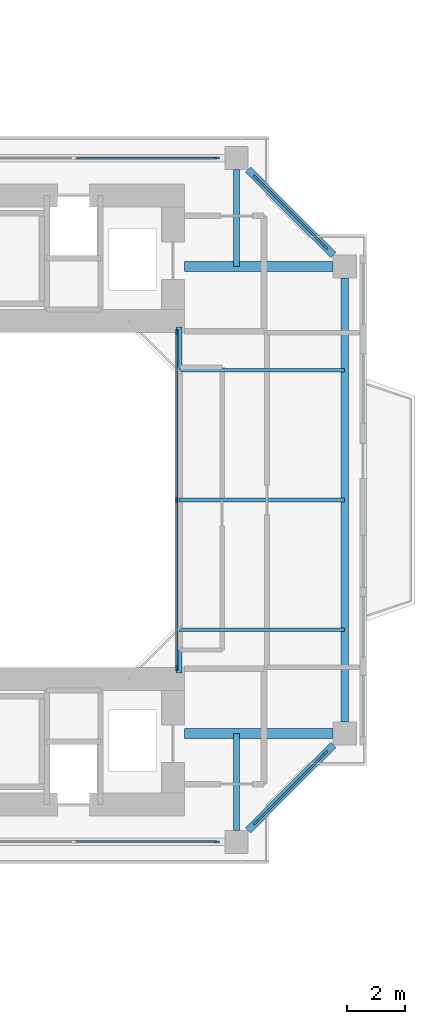
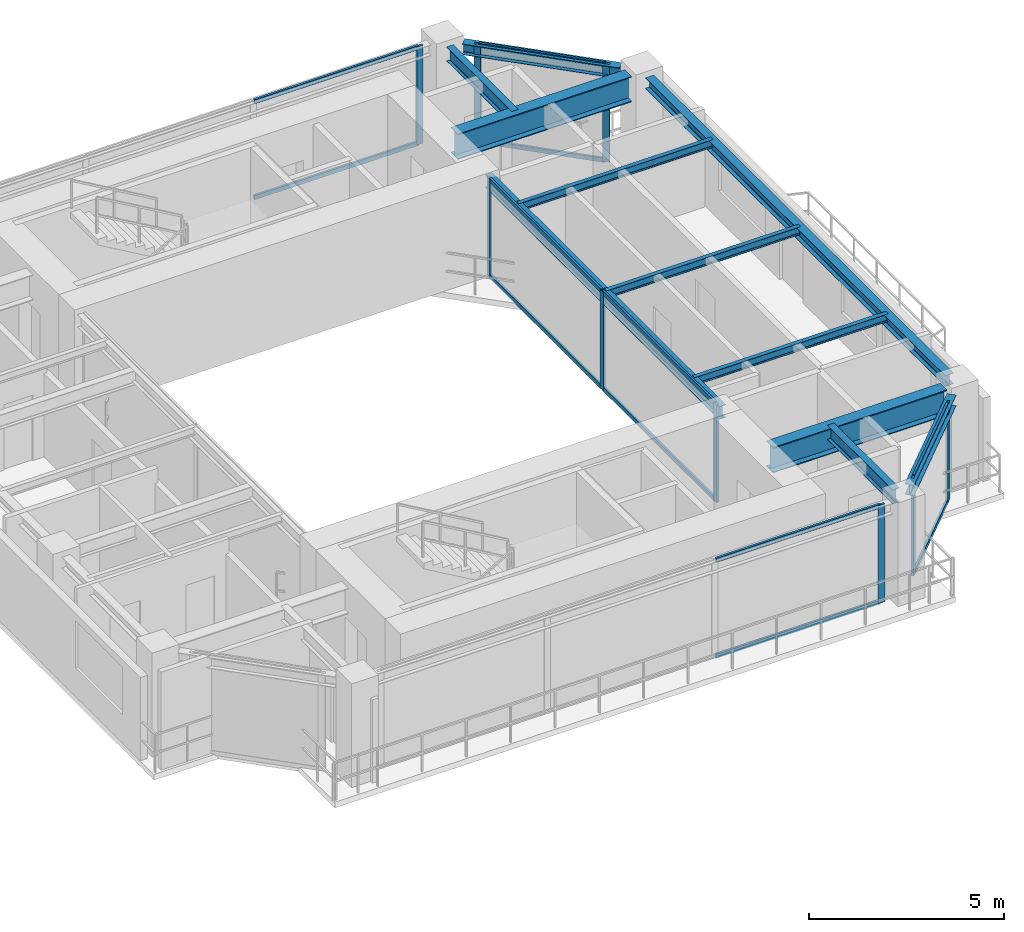
# One storey, part 12 of 24: 21 members, 11 beams, 5 elements without a shape of their own.
"""IFC4 building model written with IfcOpenShell, lengths in metres."""

from ifc_helpers import new_model, si_unit, direction, frame, origin, origin_2d, place, context, subcontext, project, spatial, rectangle, i_section, extrude, source, transform, mapped, material, layer, layer_set, material_profile, profile_set, type_object, element, aggregate, save


model = new_model("IFC4")

# Units and contexts
model_context = context("Model", 3, precision=1e-05, world=origin(), true_north=direction((0.0, 1.0)))
body_context = subcontext(model_context, "Body", "Model", "MODEL_VIEW")
ifc_project = project(units=[si_unit("LENGTHUNIT", "METRE"), si_unit("AREAUNIT", "SQUARE_METRE"), si_unit("VOLUMEUNIT", "CUBIC_METRE"), si_unit("PLANEANGLEUNIT", "RADIAN"), si_unit("MASSUNIT", "GRAM", prefix="KILO"), si_unit("THERMODYNAMICTEMPERATUREUNIT", "KELVIN"), si_unit("POWERUNIT", "WATT")], contexts=[model_context])

# Site, building, storey
site_placement = place(None, origin())
site = spatial("IfcSite", under=ifc_project, at=site_placement, CompositionType="ELEMENT")
building_placement = place(site_placement, origin())
building = spatial("IfcBuilding", under=site, at=building_placement, Name="Qiaomeng Ring Towers", CompositionType="ELEMENT")
storey_placement = place(building_placement, frame((0.0, 0.0, 106.75)))
storey = spatial("IfcBuildingStorey", under=building, at=storey_placement, Name="L30", CompositionType="ELEMENT", Elevation=106.75)

# Beams
ifc_material_1 = material(Name="Steel Q355B", Category="steel")
ifc_material_profile_1 = material_profile(ifc_material_1, i_section(OverallWidth=0.199951171875, OverallDepth=0.39990234375, WebThickness=0.008056640625, FlangeThickness=0.012939453125, FilletRadius=0.01611328125, at=origin_2d()), Name="HN 400x200x8x13")
ifc_profile_set_1 = profile_set([ifc_material_profile_1], Name="Steel Q355B")
beam_type_1 = type_object("IfcBeamType", Name="STR-BM-HN400", PredefinedType="SPANDREL", material=ifc_profile_set_1)
shared_shape_1 = source(origin(), body_context, "Body", "SweptSolid", [
    extrude(i_section(OverallWidth=0.199951171875, OverallDepth=0.39990234375, WebThickness=0.008056640625, FlangeThickness=0.012939453125, FilletRadius=0.01611328125, at=origin_2d()), origin(), (0.0, 0.0, 1.0), 12.0),
])
beam_1_placement = place(storey_placement, frame((66.60009765625, 17.0, 2.8701171875), z_axis=(0.0, 1.0, 0.0), x_axis=(-1.0, 0.0, 0.0)))
element("IfcBeam", 1, at=beam_1_placement, inside=storey, type_object=beam_type_1, Name="L30 beam STR-BM-L30-T2-WELL-E", PredefinedType="SPANDREL", context=body_context, shape_type="MappedRepresentation", body=[
    mapped(shared_shape_1, transform((0.0, 0.0, 0.0), x_axis=(1.0, 0.0, 0.0), y_axis=(0.0, 1.0, 0.0), z_axis=(0.0, 0.0, 1.0), scale=1.0)),
])
ifc_material_profile_2 = material_profile(ifc_material_1, i_section(OverallWidth=0.25, OverallDepth=0.340087890625, WebThickness=0.009033203125, FlangeThickness=0.013916015625, FilletRadius=0.02001953125, at=origin_2d()), Name="HM 340x250x9x14")
ifc_profile_set_2 = profile_set([ifc_material_profile_2], Name="Steel Q355B")
beam_type_2 = type_object("IfcBeamType", Name="STR-BM-HM340", PredefinedType="SPANDREL", material=ifc_profile_set_2)
shared_shape_2 = source(origin(), body_context, "Body", "SweptSolid", [
    extrude(i_section(OverallWidth=0.25, OverallDepth=0.340087890625, WebThickness=0.009033203125, FlangeThickness=0.013916015625, FilletRadius=0.02001953125, at=origin_2d()), origin(), (0.0, 0.0, 1.0), 15.40185546875),
])
beam_2_placement = place(storey_placement, frame((72.35009765625, 15.299072265625, 2.89990234375), z_axis=(0.0, 1.0, 0.0), x_axis=(-1.0, 0.0, 0.0)))
element("IfcBeam", 2, at=beam_2_placement, inside=storey, type_object=beam_type_2, Name="L30 beam STR-SP-L30-T2-E1-E2", PredefinedType="SPANDREL", context=body_context, shape_type="MappedRepresentation", body=[
    mapped(shared_shape_2, transform((0.0, 0.0, 0.0), x_axis=(1.0, 0.0, 0.0), y_axis=(0.0, 1.0, 0.0), z_axis=(0.0, 0.0, 1.0), scale=1.0)),
])
shared_shape_3 = source(origin(), body_context, "Body", "SweptSolid", [
    extrude(i_section(OverallWidth=0.25, OverallDepth=0.340087890625, WebThickness=0.009033203125, FlangeThickness=0.013916015625, FilletRadius=0.02001953125, at=origin_2d()), origin(), (0.0, 0.0, 1.0), 4.173828125),
])
for number, where, z_axis, x_axis, name in (
    (3, (68.999267578125, 11.54931640625, 2.89990234375), (0.707106781187, 0.707106781187, 0.0), (-0.707106781187, 0.707106781187, 0.0), "L30 beam STR-SP-L30-T2-S2-E1"),
    (4, (71.95068359375, 31.499267578125, 2.89990234375), (-0.707106781187, 0.707106781187, 0.0), (-0.707106781187, -0.707106781187, 0.0), "L30 beam STR-SP-L30-T2-E2-N2"),
):
    element("IfcBeam", number, at=place(storey_placement, frame(where, z_axis=z_axis, x_axis=x_axis)), inside=storey, type_object=beam_type_2, Name=name, PredefinedType="SPANDREL", context=body_context, shape_type="MappedRepresentation", body=[
        mapped(shared_shape_3, transform((0.0, 0.0, 0.0), x_axis=(1.0, 0.0, 0.0), y_axis=(0.0, 1.0, 0.0), z_axis=(0.0, 0.0, 1.0), scale=1.0)),
    ])
ifc_material_2 = material(Name="Steel Q390GJC", Category="steel")
ifc_material_profile_3 = material_profile(ifc_material_2, i_section(OverallWidth=0.35009765625, OverallDepth=0.800048828125, WebThickness=0.01611328125, FlangeThickness=0.028076171875, at=origin_2d()), Name="WH 800x350x16x28")
ifc_profile_set_3 = profile_set([ifc_material_profile_3], Name="Steel Q390GJC")
beam_type_3 = type_object("IfcBeamType", Name="STR-BM-WH800", PredefinedType="BEAM", material=ifc_profile_set_3)
shared_shape_4 = source(origin(), body_context, "Body", "SweptSolid", [
    extrude(i_section(OverallWidth=0.35009765625, OverallDepth=0.800048828125, WebThickness=0.01611328125, FlangeThickness=0.028076171875, at=origin_2d()), origin(), (0.0, 0.0, 1.0), 5.15087890625),
])
for number, where, z_axis, x_axis, name in (
    (5, (66.800048828125, 14.89990234375, 2.669921875), (1.0, 0.0, 0.0), (0.0, 1.0, 0.0), "L30 beam STR-BM-L30-T2-RAD-E1"),
    (6, (66.800048828125, 31.10009765625, 2.669921875), (1.0, 0.0, 0.0), (0.0, 1.0, 0.0), "L30 beam STR-BM-L30-T2-RAD-E2"),
):
    element("IfcBeam", number, at=place(storey_placement, frame(where, z_axis=z_axis, x_axis=x_axis)), inside=storey, type_object=beam_type_3, Name=name, PredefinedType="BEAM", context=body_context, shape_type="MappedRepresentation", body=[
        mapped(shared_shape_4, transform((0.0, 0.0, 0.0), x_axis=(1.0, 0.0, 0.0), y_axis=(0.0, 1.0, 0.0), z_axis=(0.0, 0.0, 1.0), scale=1.0)),
    ])
ifc_material_profile_4 = material_profile(ifc_material_1, i_section(OverallWidth=0.199951171875, OverallDepth=0.449951171875, WebThickness=0.009033203125, FlangeThickness=0.013916015625, FilletRadius=0.01806640625, at=origin_2d()), Name="HN 450x200x9x14")
ifc_profile_set_4 = profile_set([ifc_material_profile_4], Name="Steel Q355B")
beam_type_4 = type_object("IfcBeamType", Name="STR-BM-HN450", PredefinedType="SPANDREL", material=ifc_profile_set_4)
shared_shape_5 = source(origin(), body_context, "Body", "SweptSolid", [
    extrude(i_section(OverallWidth=0.199951171875, OverallDepth=0.449951171875, WebThickness=0.009033203125, FlangeThickness=0.013916015625, FilletRadius=0.01806640625, at=origin_2d()), origin(), (0.0, 0.0, 1.0), 3.350830078125),
])
for number, where, z_axis, x_axis, name in (
    (7, (68.60009765625, 34.450927734375, 2.844970703125), (0.0, -1.0, 0.0), (1.0, 0.0, 0.0), "L30 beam STR-BM-L30-T2-RAD-N2"),
    (8, (68.60009765625, 11.549072265625, 2.844970703125), (0.0, 1.0, 0.0), (-1.0, 0.0, 0.0), "L30 beam STR-BM-L30-T2-RAD-S2"),
):
    element("IfcBeam", number, at=place(storey_placement, frame(where, z_axis=z_axis, x_axis=x_axis)), inside=storey, type_object=beam_type_4, Name=name, PredefinedType="SPANDREL", context=body_context, shape_type="MappedRepresentation", body=[
        mapped(shared_shape_5, transform((0.0, 0.0, 0.0), x_axis=(1.0, 0.0, 0.0), y_axis=(0.0, 1.0, 0.0), z_axis=(0.0, 0.0, 1.0), scale=1.0)),
    ])
ifc_material_profile_5 = material_profile(ifc_material_1, i_section(OverallWidth=0.125, OverallDepth=0.25, WebThickness=0.006103515625, FlangeThickness=0.009033203125, FilletRadius=0.011962890625, at=origin_2d()), Name="HN 250x125x6x9")
ifc_profile_set_5 = profile_set([ifc_material_profile_5], Name="Steel Q355B")
beam_type_5 = type_object("IfcBeamType", Name="STR-BM-HN250", PredefinedType="JOIST", material=ifc_profile_set_5)
shared_shape_6 = source(origin(), body_context, "Body", "SweptSolid", [
    extrude(i_section(OverallWidth=0.125, OverallDepth=0.25, WebThickness=0.006103515625, FlangeThickness=0.009033203125, FilletRadius=0.011962890625, at=origin_2d()), origin(), (0.0, 0.0, 1.0), 5.75),
])
for number, where, z_axis, x_axis, name in (
    (9, (66.60009765625, 18.5, 2.945068359375), (1.0, 0.0, 0.0), (0.0, 1.0, 0.0), "L30 beam STR-JST-L30-T2E-1"),
    (10, (66.60009765625, 23.0, 2.945068359375), (1.0, 0.0, 0.0), (0.0, 1.0, 0.0), "L30 beam STR-JST-L30-T2E-2"),
    (11, (66.60009765625, 27.5, 2.945068359375), (1.0, 0.0, 0.0), (0.0, 1.0, 0.0), "L30 beam STR-JST-L30-T2E-3"),
):
    element("IfcBeam", number, at=place(storey_placement, frame(where, z_axis=z_axis, x_axis=x_axis)), inside=storey, type_object=beam_type_5, Name=name, PredefinedType="JOIST", context=body_context, shape_type="MappedRepresentation", body=[
        mapped(shared_shape_6, transform((0.0, 0.0, 0.0), x_axis=(1.0, 0.0, 0.0), y_axis=(0.0, 1.0, 0.0), z_axis=(0.0, 0.0, 1.0), scale=1.0)),
    ])

# Curtain wall, members
ifc_material_3 = material(Name="Fluorocarbon dark-grey aluminium", Category="aluminium")
ifc_layer_1 = layer(ifc_material_3, 0.139892578125, Name="Fluorocarbon dark-grey aluminium")
ifc_layer_set_1 = layer_set([ifc_layer_1], Name="Fluorocarbon dark-grey aluminium")
curtain_wall_type_1 = type_object("IfcCurtainWallType", Name="ARC-CW-4", PredefinedType="NOTDEFINED", material=ifc_layer_set_1)
curtain_wall_1_placement = place(storey_placement, origin())
curtain_wall_1 = element("IfcCurtainWall", 12, at=curtain_wall_1_placement, inside=storey, type_object=curtain_wall_type_1, Name="L30 Curtain Wall CW4", PredefinedType="NOTDEFINED")
ifc_material_profile_6 = material_profile(ifc_material_3, rectangle(XDim=0.06494140625, YDim=0.159912109375, at=origin_2d()), Name="ALU MULL 65x160")
ifc_profile_set_6 = profile_set([ifc_material_profile_6], Name="Fluorocarbon dark-grey aluminium")
member_type_1 = type_object("IfcMemberType", Name="ARC-CWM-140", PredefinedType="MULLION", material=ifc_profile_set_6)
shared_shape_7 = source(origin(), body_context, "Body", "SweptSolid", [
    extrude(rectangle(XDim=0.06494140625, YDim=0.159912109375, at=origin_2d()), origin(), (0.0, 0.0, 1.0), 3.070068359375),
])
member_1_placement = place(storey_placement, frame((66.52001953125, 17.1826171875, 0.0), z_axis=(0.0, 0.0, 1.0), x_axis=(-1.0, 0.0, 0.0)))
member_1 = element("IfcMember", 13, at=member_1_placement, type_object=member_type_1, Name="CW4 mullion 1", PredefinedType="MULLION", context=body_context, shape_type="MappedRepresentation", body=[
    mapped(shared_shape_7, transform((0.0, 0.0, 0.0), x_axis=(1.0, 0.0, 0.0), y_axis=(0.0, 1.0, 0.0), z_axis=(0.0, 0.0, 1.0), scale=1.0)),
])
member_2_placement = place(storey_placement, frame((66.52001953125, 23.0, 0.0), z_axis=(0.0, 0.0, 1.0), x_axis=(-1.0, 0.0, 0.0)))
member_2 = element("IfcMember", 14, at=member_2_placement, type_object=member_type_1, Name="CW4 mullion 2", PredefinedType="MULLION", context=body_context, shape_type="MappedRepresentation", body=[
    mapped(shared_shape_7, transform((0.0, 0.0, 0.0), x_axis=(1.0, 0.0, 0.0), y_axis=(0.0, 1.0, 0.0), z_axis=(0.0, 0.0, 1.0), scale=1.0)),
])
member_3_placement = place(storey_placement, frame((66.52001953125, 28.8173828125, 0.0), z_axis=(0.0, 0.0, 1.0), x_axis=(-1.0, 0.0, 0.0)))
member_3 = element("IfcMember", 15, at=member_3_placement, type_object=member_type_1, Name="CW4 mullion 3", PredefinedType="MULLION", context=body_context, shape_type="MappedRepresentation", body=[
    mapped(shared_shape_7, transform((0.0, 0.0, 0.0), x_axis=(1.0, 0.0, 0.0), y_axis=(0.0, 1.0, 0.0), z_axis=(0.0, 0.0, 1.0), scale=1.0)),
])
ifc_material_profile_7 = material_profile(ifc_material_3, rectangle(XDim=0.06494140625, YDim=0.1298828125, at=origin_2d()), Name="ALU TRAN 65x130")
ifc_profile_set_7 = profile_set([ifc_material_profile_7], Name="Fluorocarbon dark-grey aluminium")
member_type_2 = type_object("IfcMemberType", Name="ARC-CWT-120", PredefinedType="USERDEFINED", material=ifc_profile_set_7)
shared_shape_8 = source(origin(), body_context, "Body", "SweptSolid", [
    extrude(rectangle(XDim=0.06494140625, YDim=0.1298828125, at=origin_2d()), origin(), (0.0, 0.0, 1.0), 5.75244140625),
])
member_4_placement = place(storey_placement, frame((66.52001953125, 17.215087890625, 0.032470703125), z_axis=(0.0, 1.0, 0.0), x_axis=(-1.0, 0.0, 0.0)))
member_4 = element("IfcMember", 16, at=member_4_placement, type_object=member_type_2, Name="CW4 transom 1.1", ObjectType="TRANSOM", PredefinedType="USERDEFINED", context=body_context, shape_type="MappedRepresentation", body=[
    mapped(shared_shape_8, transform((0.0, 0.0, 0.0), x_axis=(1.0, 0.0, 0.0), y_axis=(0.0, 1.0, 0.0), z_axis=(0.0, 0.0, 1.0), scale=1.0)),
])
member_5_placement = place(storey_placement, frame((66.52001953125, 17.215087890625, 3.03759765625), z_axis=(0.0, 1.0, 0.0), x_axis=(-1.0, 0.0, 0.0)))
member_5 = element("IfcMember", 17, at=member_5_placement, type_object=member_type_2, Name="CW4 transom 1.2", ObjectType="TRANSOM", PredefinedType="USERDEFINED", context=body_context, shape_type="MappedRepresentation", body=[
    mapped(shared_shape_8, transform((0.0, 0.0, 0.0), x_axis=(1.0, 0.0, 0.0), y_axis=(0.0, 1.0, 0.0), z_axis=(0.0, 0.0, 1.0), scale=1.0)),
])
member_6_placement = place(storey_placement, frame((66.52001953125, 23.032470703125, 0.032470703125), z_axis=(0.0, 1.0, 0.0), x_axis=(-1.0, 0.0, 0.0)))
member_6 = element("IfcMember", 18, at=member_6_placement, type_object=member_type_2, Name="CW4 transom 2.1", ObjectType="TRANSOM", PredefinedType="USERDEFINED", context=body_context, shape_type="MappedRepresentation", body=[
    mapped(shared_shape_8, transform((0.0, 0.0, 0.0), x_axis=(1.0, 0.0, 0.0), y_axis=(0.0, 1.0, 0.0), z_axis=(0.0, 0.0, 1.0), scale=1.0)),
])
member_7_placement = place(storey_placement, frame((66.52001953125, 23.032470703125, 3.03759765625), z_axis=(0.0, 1.0, 0.0), x_axis=(-1.0, 0.0, 0.0)))
member_7 = element("IfcMember", 19, at=member_7_placement, type_object=member_type_2, Name="CW4 transom 2.2", ObjectType="TRANSOM", PredefinedType="USERDEFINED", context=body_context, shape_type="MappedRepresentation", body=[
    mapped(shared_shape_8, transform((0.0, 0.0, 0.0), x_axis=(1.0, 0.0, 0.0), y_axis=(0.0, 1.0, 0.0), z_axis=(0.0, 0.0, 1.0), scale=1.0)),
])
aggregate(curtain_wall_1, [member_1, member_2, member_3, member_4, member_5, member_6, member_7])

# Curtain wall, member
ifc_layer_2 = layer(ifc_material_3, 0.14990234375, Name="Fluorocarbon dark-grey aluminium")
ifc_layer_set_2 = layer_set([ifc_layer_2], Name="Fluorocarbon dark-grey aluminium")
curtain_wall_type_2 = type_object("IfcCurtainWallType", Name="ARC-CW-5", PredefinedType="NOTDEFINED", material=ifc_layer_set_2)
curtain_wall_2_placement = place(storey_placement, origin())
curtain_wall_2 = element("IfcCurtainWall", 20, at=curtain_wall_2_placement, inside=storey, type_object=curtain_wall_type_2, Name="L30 Curtain Wall CW5", PredefinedType="NOTDEFINED")
ifc_material_profile_8 = material_profile(ifc_material_3, rectangle(XDim=0.070068359375, YDim=0.179931640625, at=origin_2d()), Name="ALU MULL 70x180")
ifc_profile_set_8 = profile_set([ifc_material_profile_8], Name="Fluorocarbon dark-grey aluminium")
member_type_3 = type_object("IfcMemberType", Name="ARC-CWM-160", PredefinedType="MULLION", material=ifc_profile_set_8)
shared_shape_9 = source(origin(), body_context, "Body", "SweptSolid", [
    extrude(rectangle(XDim=0.070068359375, YDim=0.179931640625, at=origin_2d()), origin(), (0.0, 0.0, 1.0), 3.070068359375),
])
member_8_placement = place(storey_placement, frame((67.925048828125, 34.85009765625, 0.0), z_axis=(0.0, 0.0, 1.0), x_axis=(0.0, 1.0, 0.0)))
member_8 = element("IfcMember", 21, at=member_8_placement, type_object=member_type_3, Name="CW5 mullion 4", PredefinedType="MULLION", context=body_context, shape_type="MappedRepresentation", body=[
    mapped(shared_shape_9, transform((0.0, 0.0, 0.0), x_axis=(1.0, 0.0, 0.0), y_axis=(0.0, 1.0, 0.0), z_axis=(0.0, 0.0, 1.0), scale=1.0)),
])

# Curtain wall, members
curtain_wall_3_placement = place(storey_placement, origin())
curtain_wall_3 = element("IfcCurtainWall", 22, at=curtain_wall_3_placement, inside=storey, type_object=curtain_wall_type_2, Name="L30 Curtain Wall CW5", PredefinedType="NOTDEFINED")
member_9_placement = place(storey_placement, frame((69.2646484375, 11.814697265625, 0.0), z_axis=(0.0, 0.0, 1.0), x_axis=(-0.707106781187, 0.707106781187, 0.0)))
member_9 = element("IfcMember", 23, at=member_9_placement, type_object=member_type_3, Name="CW5 mullion 1", PredefinedType="MULLION", context=body_context, shape_type="MappedRepresentation", body=[
    mapped(shared_shape_9, transform((0.0, 0.0, 0.0), x_axis=(1.0, 0.0, 0.0), y_axis=(0.0, 1.0, 0.0), z_axis=(0.0, 0.0, 1.0), scale=1.0)),
])
member_10_placement = place(storey_placement, frame((71.685302734375, 14.2353515625, 0.0), z_axis=(0.0, 0.0, 1.0), x_axis=(-0.707106781187, 0.707106781187, 0.0)))
member_10 = element("IfcMember", 24, at=member_10_placement, type_object=member_type_3, Name="CW5 mullion 2", PredefinedType="MULLION", context=body_context, shape_type="MappedRepresentation", body=[
    mapped(shared_shape_9, transform((0.0, 0.0, 0.0), x_axis=(1.0, 0.0, 0.0), y_axis=(0.0, 1.0, 0.0), z_axis=(0.0, 0.0, 1.0), scale=1.0)),
])

curtain_wall_4_placement = place(storey_placement, origin())
curtain_wall_4 = element("IfcCurtainWall", 25, at=curtain_wall_4_placement, inside=storey, type_object=curtain_wall_type_2, Name="L30 Curtain Wall CW5", PredefinedType="NOTDEFINED")
member_11_placement = place(storey_placement, frame((71.685302734375, 31.7646484375, 0.0), z_axis=(0.0, 0.0, 1.0), x_axis=(-0.707106781187, -0.707106781187, 0.0)))
member_11 = element("IfcMember", 26, at=member_11_placement, type_object=member_type_3, Name="CW5 mullion 1", PredefinedType="MULLION", context=body_context, shape_type="MappedRepresentation", body=[
    mapped(shared_shape_9, transform((0.0, 0.0, 0.0), x_axis=(1.0, 0.0, 0.0), y_axis=(0.0, 1.0, 0.0), z_axis=(0.0, 0.0, 1.0), scale=1.0)),
])
member_12_placement = place(storey_placement, frame((69.2646484375, 34.185302734375, 0.0), z_axis=(0.0, 0.0, 1.0), x_axis=(-0.707106781187, -0.707106781187, 0.0)))
member_12 = element("IfcMember", 27, at=member_12_placement, type_object=member_type_3, Name="CW5 mullion 2", PredefinedType="MULLION", context=body_context, shape_type="MappedRepresentation", body=[
    mapped(shared_shape_9, transform((0.0, 0.0, 0.0), x_axis=(1.0, 0.0, 0.0), y_axis=(0.0, 1.0, 0.0), z_axis=(0.0, 0.0, 1.0), scale=1.0)),
])

# Curtain wall, member
curtain_wall_5_placement = place(storey_placement, origin())
curtain_wall_5 = element("IfcCurtainWall", 28, at=curtain_wall_5_placement, inside=storey, type_object=curtain_wall_type_2, Name="L30 Curtain Wall CW5", PredefinedType="NOTDEFINED")
member_13_placement = place(storey_placement, frame((67.925048828125, 11.14990234375, 0.0), z_axis=(0.0, 0.0, 1.0), x_axis=(0.0, 1.0, 0.0)))
member_13 = element("IfcMember", 29, at=member_13_placement, type_object=member_type_3, Name="CW5 mullion 4", PredefinedType="MULLION", context=body_context, shape_type="MappedRepresentation", body=[
    mapped(shared_shape_9, transform((0.0, 0.0, 0.0), x_axis=(1.0, 0.0, 0.0), y_axis=(0.0, 1.0, 0.0), z_axis=(0.0, 0.0, 1.0), scale=1.0)),
])

# Member
shared_shape_10 = source(origin(), body_context, "Body", "SweptSolid", [
    extrude(rectangle(XDim=0.06494140625, YDim=0.1298828125, at=origin_2d()), origin(), (0.0, 0.0, 1.0), 4.8681640625),
])
member_14_placement = place(storey_placement, frame((63.021728515625, 34.85009765625, 0.032470703125), z_axis=(1.0, 0.0, 0.0), x_axis=(0.0, 1.0, 0.0)))
member_14 = element("IfcMember", 30, at=member_14_placement, type_object=member_type_2, Name="CW5 transom 3.1", ObjectType="TRANSOM", PredefinedType="USERDEFINED", context=body_context, shape_type="MappedRepresentation", body=[
    mapped(shared_shape_10, transform((0.0, 0.0, 0.0), x_axis=(1.0, 0.0, 0.0), y_axis=(0.0, 1.0, 0.0), z_axis=(0.0, 0.0, 1.0), scale=1.0)),
])

member_15_placement = place(storey_placement, frame((63.021728515625, 34.85009765625, 3.03759765625), z_axis=(1.0, 0.0, 0.0), x_axis=(0.0, 1.0, 0.0)))
member_15 = element("IfcMember", 31, at=member_15_placement, type_object=member_type_2, Name="CW5 transom 3.2", ObjectType="TRANSOM", PredefinedType="USERDEFINED", context=body_context, shape_type="MappedRepresentation", body=[
    mapped(shared_shape_10, transform((0.0, 0.0, 0.0), x_axis=(1.0, 0.0, 0.0), y_axis=(0.0, 1.0, 0.0), z_axis=(0.0, 0.0, 1.0), scale=1.0)),
])

aggregate(curtain_wall_2, [member_8, member_14, member_15])

member_16_placement = place(storey_placement, frame((63.021728515625, 11.14990234375, 0.032470703125), z_axis=(1.0, 0.0, 0.0), x_axis=(0.0, 1.0, 0.0)))
member_16 = element("IfcMember", 32, at=member_16_placement, type_object=member_type_2, Name="CW5 transom 3.1", ObjectType="TRANSOM", PredefinedType="USERDEFINED", context=body_context, shape_type="MappedRepresentation", body=[
    mapped(shared_shape_10, transform((0.0, 0.0, 0.0), x_axis=(1.0, 0.0, 0.0), y_axis=(0.0, 1.0, 0.0), z_axis=(0.0, 0.0, 1.0), scale=1.0)),
])

member_17_placement = place(storey_placement, frame((63.021728515625, 11.14990234375, 3.03759765625), z_axis=(1.0, 0.0, 0.0), x_axis=(0.0, 1.0, 0.0)))
member_17 = element("IfcMember", 33, at=member_17_placement, type_object=member_type_2, Name="CW5 transom 3.2", ObjectType="TRANSOM", PredefinedType="USERDEFINED", context=body_context, shape_type="MappedRepresentation", body=[
    mapped(shared_shape_10, transform((0.0, 0.0, 0.0), x_axis=(1.0, 0.0, 0.0), y_axis=(0.0, 1.0, 0.0), z_axis=(0.0, 0.0, 1.0), scale=1.0)),
])

aggregate(curtain_wall_5, [member_13, member_16, member_17])

shared_shape_11 = source(origin(), body_context, "Body", "SweptSolid", [
    extrude(rectangle(XDim=0.06494140625, YDim=0.1298828125, at=origin_2d()), origin(), (0.0, 0.0, 1.0), 3.352783203125),
])
member_18_placement = place(storey_placement, frame((69.28955078125, 11.839599609375, 0.032470703125), z_axis=(0.707106781187, 0.707106781187, 0.0), x_axis=(-0.707106781187, 0.707106781187, 0.0)))
member_18 = element("IfcMember", 34, at=member_18_placement, type_object=member_type_2, Name="CW5 transom 1.1", ObjectType="TRANSOM", PredefinedType="USERDEFINED", context=body_context, shape_type="MappedRepresentation", body=[
    mapped(shared_shape_11, transform((0.0, 0.0, 0.0), x_axis=(1.0, 0.0, 0.0), y_axis=(0.0, 1.0, 0.0), z_axis=(0.0, 0.0, 1.0), scale=1.0)),
])

member_19_placement = place(storey_placement, frame((69.28955078125, 11.839599609375, 3.03759765625), z_axis=(0.707106781187, 0.707106781187, 0.0), x_axis=(-0.707106781187, 0.707106781187, 0.0)))
member_19 = element("IfcMember", 35, at=member_19_placement, type_object=member_type_2, Name="CW5 transom 1.2", ObjectType="TRANSOM", PredefinedType="USERDEFINED", context=body_context, shape_type="MappedRepresentation", body=[
    mapped(shared_shape_11, transform((0.0, 0.0, 0.0), x_axis=(1.0, 0.0, 0.0), y_axis=(0.0, 1.0, 0.0), z_axis=(0.0, 0.0, 1.0), scale=1.0)),
])

aggregate(curtain_wall_3, [member_9, member_10, member_18, member_19])

member_20_placement = place(storey_placement, frame((71.660400390625, 31.78955078125, 0.032470703125), z_axis=(-0.707106781187, 0.707106781187, 0.0), x_axis=(-0.707106781187, -0.707106781187, 0.0)))
member_20 = element("IfcMember", 36, at=member_20_placement, type_object=member_type_2, Name="CW5 transom 1.1", ObjectType="TRANSOM", PredefinedType="USERDEFINED", context=body_context, shape_type="MappedRepresentation", body=[
    mapped(shared_shape_11, transform((0.0, 0.0, 0.0), x_axis=(1.0, 0.0, 0.0), y_axis=(0.0, 1.0, 0.0), z_axis=(0.0, 0.0, 1.0), scale=1.0)),
])

member_21_placement = place(storey_placement, frame((71.660400390625, 31.78955078125, 3.03759765625), z_axis=(-0.707106781187, 0.707106781187, 0.0), x_axis=(-0.707106781187, -0.707106781187, 0.0)))
member_21 = element("IfcMember", 37, at=member_21_placement, type_object=member_type_2, Name="CW5 transom 1.2", ObjectType="TRANSOM", PredefinedType="USERDEFINED", context=body_context, shape_type="MappedRepresentation", body=[
    mapped(shared_shape_11, transform((0.0, 0.0, 0.0), x_axis=(1.0, 0.0, 0.0), y_axis=(0.0, 1.0, 0.0), z_axis=(0.0, 0.0, 1.0), scale=1.0)),
])

aggregate(curtain_wall_4, [member_11, member_12, member_20, member_21])

save(model, "model.ifc")
